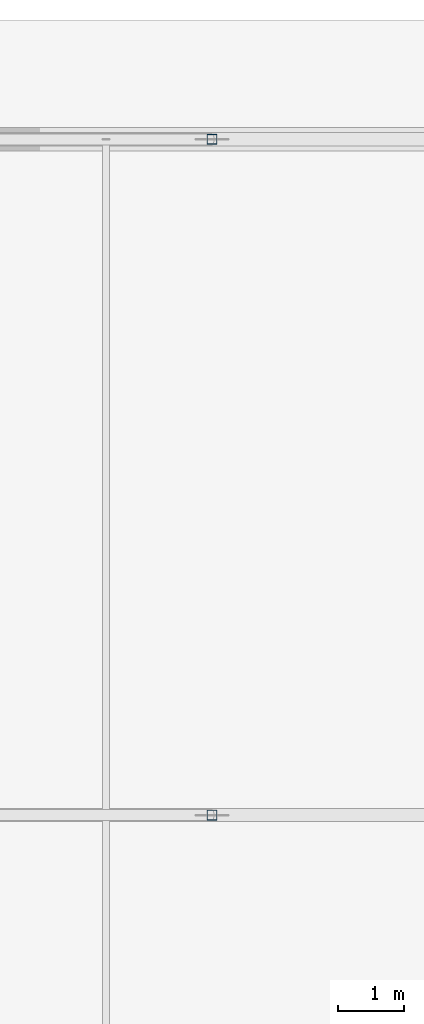
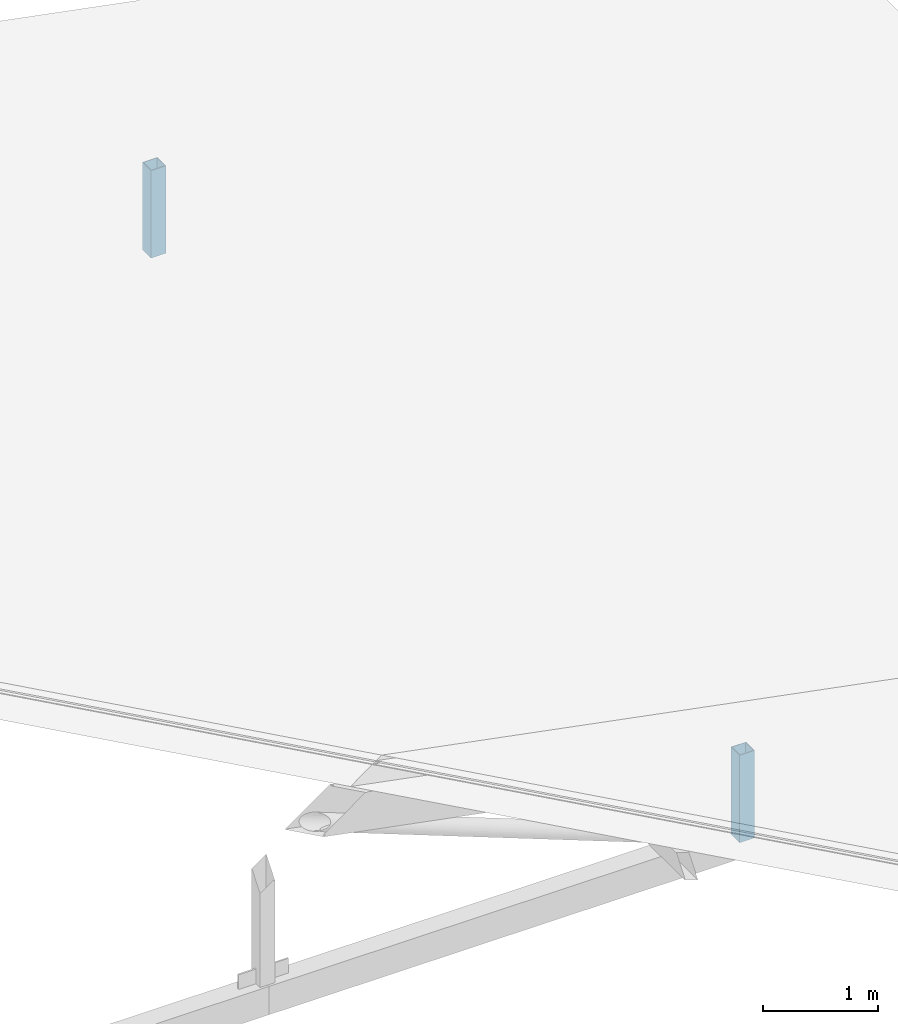
# One storey, part 130 of 200: 2 members.
"""IFC4 building model written with IfcOpenShell, lengths in metres."""

from ifc_helpers import new_model, si_unit, direction, frame, origin, origin_2d, place, context, subcontext, project, spatial, hollow_rectangle, extrude, material, material_profile, profile_set, type_object, element, save


model = new_model("IFC4")

# Units and contexts
model_context = context("Model", 3, precision=1e-05, world=origin(), true_north=direction((0.0, 1.0)))
body_context = subcontext(model_context, "Body", "Model", "MODEL_VIEW")
ifc_project = project(units=[si_unit("LENGTHUNIT", "METRE"), si_unit("AREAUNIT", "SQUARE_METRE"), si_unit("VOLUMEUNIT", "CUBIC_METRE"), si_unit("PLANEANGLEUNIT", "RADIAN"), si_unit("MASSUNIT", "GRAM", prefix="KILO")], contexts=[model_context])

# Site, building, storey
site_placement = place(None, origin())
site = spatial("IfcSite", under=ifc_project, at=site_placement, CompositionType="ELEMENT")
building_placement = place(site_placement, origin())
building = spatial("IfcBuilding", under=site, at=building_placement, Name="Vondelvale Polytechnic", CompositionType="ELEMENT")
storey_placement = place(building_placement, frame((0.0, 0.0, 13.800048828125)))
storey = spatial("IfcBuildingStorey", under=building, at=storey_placement, Name="L03", CompositionType="ELEMENT", Elevation=13.800048828125)

# Members
ifc_material = material(Name="Steel C350L0 (fy = 350 MPa)", Category="steel")
ifc_material_profile = material_profile(ifc_material, hollow_rectangle(XDim=0.14990234375, YDim=0.14990234375, WallThickness=0.006103515625, at=origin_2d()), Name="150x150x6.0SHS")
ifc_profile_set = profile_set([ifc_material_profile], Name="Steel C350L0 (fy = 350 MPa)")
member_type = type_object("IfcMemberType", Name="ROOF TRUSS POST 150SHS", PredefinedType="POST", material=ifc_profile_set)
for number, where, z_axis, x_axis, name in (
    (1, (43.199951171875, 112.199951171875, -0.420166015625), (0.0, 0.0, 1.0), (1.0, 0.0, 0.0), "ROOF TRUSS TR-07 vertical post 8"),
    (2, (43.199951171875, 122.39990234375, -0.420166015625), (0.0, 0.0, 1.0), (1.0, 0.0, 0.0), "ROOF TRUSS TR-08 vertical post 8"),
):
    element("IfcMember", number, at=place(storey_placement, frame(where, z_axis=z_axis, x_axis=x_axis)), inside=storey, type_object=member_type, Name=name, PredefinedType="POST", context=body_context, shape_type="SweptSolid", body=[
        extrude(hollow_rectangle(XDim=0.14990234375, YDim=0.14990234375, WallThickness=0.006103515625, at=origin_2d()), origin(), (0.0, 0.0, 1.0), 0.925048828125),
    ])

save(model, "model.ifc")
